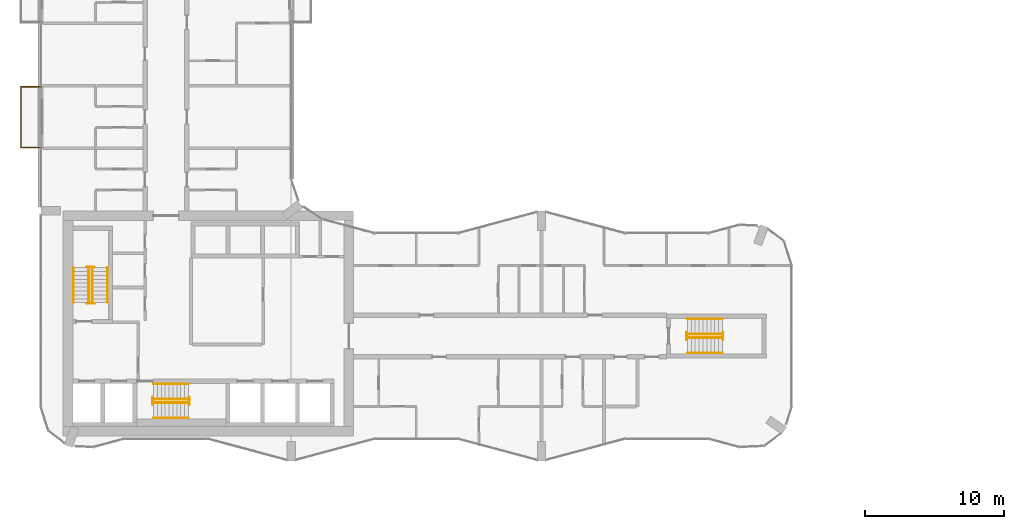
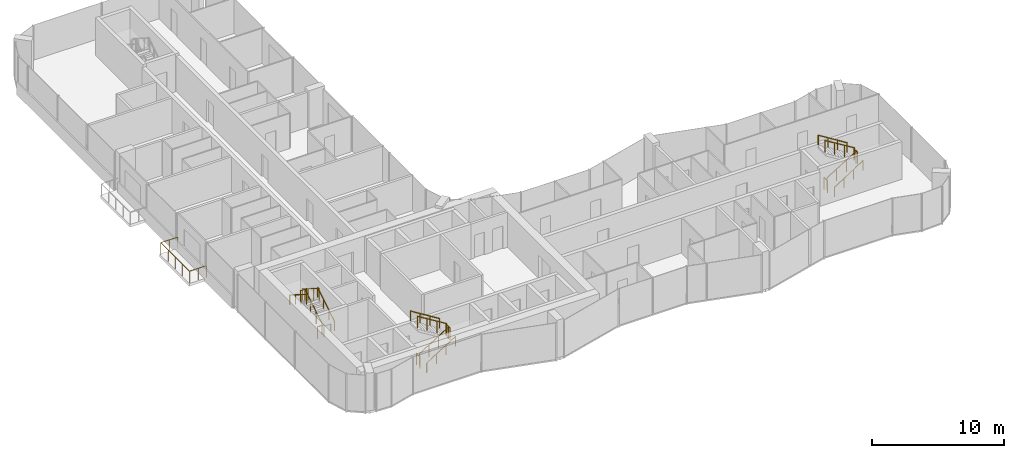
# One storey, part 21 of 23: 19 railings.
"""IFC4 building model written with IfcOpenShell, lengths in metres."""

import ifcopenshell
import ifcopenshell.guid

model = None  # the IFC model being written
_history = None  # IfcOwnerHistory: only IFC2X3 demands one
_inside = {}  # id of a spatial element -> (the spatial element, [elements in it])
_under = {}  # id of a project, library or spatial element -> (it, [spatial elements below it])
_declared = {}  # id of a project -> (the project, [libraries it declares])
_typed = {}  # id of a type object -> (the type object, [elements of that type])
_made_of = {}  # id of a material, layer set ... -> (it, [elements and type objects made of it])


def new_model(schema):
    """Start an empty IFC model of exactly this schema.

    Asked for "IFC4X3", IfcOpenShell would pick the latest addendum, in which some entities
    have other attributes; the version numbers below select the first issue.
    IFC2X3 requires an IfcOwnerHistory on every rooted entity: one is made here for all.
    """
    global model, _history
    if schema == "IFC4X3":
        model = ifcopenshell.file(schema_version=(4, 3, 0, 0))
    else:
        model = ifcopenshell.file(schema=schema)
    _inside.clear()
    _under.clear()
    _declared.clear()
    _typed.clear()
    _made_of.clear()
    _history = None
    if model.schema == "IFC2X3":
        org = make("IfcOrganization", Name="unknown")
        user = make(
            "IfcPersonAndOrganization",
            ThePerson=make("IfcPerson", FamilyName="unknown"),
            TheOrganization=org,
        )
        app = make(
            "IfcApplication",
            ApplicationDeveloper=org,
            Version="unknown",
            ApplicationFullName="unknown",
            ApplicationIdentifier="unknown",
        )
        _history = make(
            "IfcOwnerHistory",
            OwningUser=user,
            OwningApplication=app,
            ChangeAction="ADDED",
            CreationDate=0,
        )
    return model


def make(cls, **values):
    """One entity of the class cls with the attributes given. An attribute that is None is left unset."""
    return model.create_entity(
        cls, **{name: value for name, value in values.items() if value is not None}
    )


def rooted(cls, **values):
    """An entity with a GlobalId (a new one), such as an element, a storey or a relation."""
    return make(cls, GlobalId=ifcopenshell.guid.new(), OwnerHistory=_history, **values)


def si_unit(unit_type, name, prefix=None):
    """IfcSIUnit, for example si_unit("LENGTHUNIT", "METRE", prefix="MILLI")."""
    return make("IfcSIUnit", UnitType=unit_type, Prefix=prefix, Name=name)


def assignment(units):
    """IfcUnitAssignment: the units of a project."""
    return None if units is None else make("IfcUnitAssignment", Units=units)


def point(xyz):
    """IfcCartesianPoint."""
    return None if xyz is None else make("IfcCartesianPoint", Coordinates=xyz)


def direction(xyz):
    """IfcDirection."""
    return None if xyz is None else make("IfcDirection", DirectionRatios=xyz)


def frame(location, z_axis=None, x_axis=None):
    """IfcAxis2Placement3D, a coordinate frame: its origin and axes. An axis left out is left unset."""
    return make(
        "IfcAxis2Placement3D",
        Location=point(location),
        Axis=direction(z_axis),
        RefDirection=direction(x_axis),
    )


def frame_2d(location, x_axis=None):
    """IfcAxis2Placement2D, a coordinate frame in the plane: its origin and x axis."""
    return make(
        "IfcAxis2Placement2D", Location=point(location), RefDirection=direction(x_axis)
    )


def origin():
    """The frame at (0, 0, 0) with its axes left unset."""
    return frame((0.0, 0.0, 0.0))


def origin_2d():
    """The frame at (0, 0) in the plane with its x axis left unset."""
    return frame_2d((0.0, 0.0))


def place(relative_to, where):
    """IfcLocalPlacement: puts the frame where relative to a parent placement (None: the world)."""
    return make(
        "IfcLocalPlacement", PlacementRelTo=relative_to, RelativePlacement=where
    )


def context(
    kind, dimensions, precision=None, world=None, true_north=None, identifier=None
):
    """IfcGeometricRepresentationContext, for example the 3D "Model" context."""
    return make(
        "IfcGeometricRepresentationContext",
        ContextIdentifier=identifier,
        ContextType=kind,
        CoordinateSpaceDimension=dimensions,
        Precision=precision,
        WorldCoordinateSystem=world,
        TrueNorth=true_north,
    )


def subcontext(parent, identifier, kind, view, scale=None):
    """IfcGeometricRepresentationSubContext, for example "Body" below "Model"."""
    return make(
        "IfcGeometricRepresentationSubContext",
        ContextIdentifier=identifier,
        ContextType=kind,
        ParentContext=parent,
        TargetScale=scale,
        TargetView=view,
    )


def project(units=None, contexts=None):
    """IfcProject with its units and contexts."""
    return rooted(
        "IfcProject",
        Name="project",
        RepresentationContexts=contexts,
        UnitsInContext=assignment(units),
    )


def spatial(cls, under=None, at=None, **own):
    """A site, building, storey or space (cls), placed at a placement, below another one or the project."""
    s = rooted(cls, ObjectPlacement=at, **own)
    if under is not None:
        _under.setdefault(under.id(), (under, []))[1].append(s)
    return s


def profile(cls, at=None, kind="AREA", **sizes):
    """A parametric profile (cls). Its sizes go by their IFC names, for example OverallWidth=200.0."""
    return make(cls, ProfileType=kind, Position=at, **sizes)


def circle(**sizes):
    """IfcCircleProfileDef."""
    return profile("IfcCircleProfileDef", **sizes)


def extrude(swept, where, along, depth):
    """IfcExtrudedAreaSolid: the profile swept, set in the frame where, extruded along a direction by depth."""
    return make(
        "IfcExtrudedAreaSolid",
        SweptArea=swept,
        Position=where,
        ExtrudedDirection=direction(along),
        Depth=depth,
    )


def shape(context_of_items, identifier, shape_type, items):
    """IfcShapeRepresentation: the items that make up one representation, for example the "Body"."""
    return make(
        "IfcShapeRepresentation",
        ContextOfItems=context_of_items,
        RepresentationIdentifier=identifier,
        RepresentationType=shape_type,
        Items=items,
    )


def material(Name=None, Category=None):
    """IfcMaterial."""
    return make("IfcMaterial", Name=Name, Category=Category)


def made_of(thing, what):
    """Note that an element or type object is made of a material, layer set ...; save() writes the relation."""
    if what is not None:
        _made_of.setdefault(what.id(), (what, []))[1].append(thing)
    return thing


def type_object(cls, material=None, **own):
    """A type object (cls), such as IfcWallType, which elements share."""
    return made_of(rooted(cls, **own), material)


def element(
    cls,
    number,
    at=None,
    inside=None,
    cuts=None,
    type_object=None,
    material=None,
    context=None,
    identifier="Body",
    shape_type=None,
    held_by="IfcProductDefinitionShape",
    body=None,
    shapes=None,
    **own,
):
    """One element of the class cls, such as IfcWall. Its Tag is "e" and its number.

    at: its placement. inside: the storey or other place that contains it. cuts: it is an
    opening in that element (IfcRelVoidsElement). A single representation is given by context,
    identifier, shape_type and body (its items); several are given by shapes. held_by: the class
    of the entity that holds the representations. save() writes the other relations.
    """
    e = rooted(cls, Tag="e%d" % number, ObjectPlacement=at, **own)
    if body is not None:
        shapes = [shape(context, identifier, shape_type, body)]
    if shapes is not None:
        e.Representation = make(held_by, Representations=shapes)
    if inside is not None:
        _inside.setdefault(inside.id(), (inside, []))[1].append(e)
    if cuts is not None:
        rooted(
            "IfcRelVoidsElement", RelatingBuildingElement=cuts, RelatedOpeningElement=e
        )
    if type_object is not None:
        _typed.setdefault(type_object.id(), (type_object, []))[1].append(e)
    return made_of(e, material)


def aggregate(whole, parts):
    """IfcRelAggregates: a whole, such as a stair, and the parts it consists of."""
    return rooted("IfcRelAggregates", RelatingObject=whole, RelatedObjects=parts)


def save(model, path):
    """Write the relations noted so far, then the file.

    IfcRelAggregates (storeys below a building ...), IfcRelContainedInSpatialStructure (elements
    in a storey), IfcRelDefinesByType, IfcRelAssociatesMaterial and IfcRelDeclares: one each for
    every whole, place, type object, material and project.
    """
    for whole, parts in _under.values():
        aggregate(whole, parts)
    for where, things in _inside.values():
        rooted(
            "IfcRelContainedInSpatialStructure",
            RelatedElements=things,
            RelatingStructure=where,
        )
    for kind, things in _typed.values():
        rooted("IfcRelDefinesByType", RelatedObjects=things, RelatingType=kind)
    for what, things in _made_of.values():
        rooted("IfcRelAssociatesMaterial", RelatedObjects=things, RelatingMaterial=what)
    for by, libraries in _declared.values():
        rooted("IfcRelDeclares", RelatingContext=by, RelatedDefinitions=libraries)
    model.write(path)


model = new_model("IFC4")

# Units and contexts
model_context = context("Model", 3, precision=1e-05, world=origin(), true_north=direction((0.0, 1.0)))
body_context = subcontext(model_context, "Body", "Model", "MODEL_VIEW")
ifc_project = project(units=[si_unit("LENGTHUNIT", "METRE"), si_unit("AREAUNIT", "SQUARE_METRE"), si_unit("VOLUMEUNIT", "CUBIC_METRE"), si_unit("PLANEANGLEUNIT", "RADIAN"), si_unit("MASSUNIT", "GRAM", prefix="KILO")], contexts=[model_context])

# Site, building, storey
site_placement = place(None, origin())
site = spatial("IfcSite", under=ifc_project, at=site_placement, CompositionType="ELEMENT")
building_placement = place(site_placement, origin())
building = spatial("IfcBuilding", under=site, at=building_placement, Name="Plateau Cross Towers", CompositionType="ELEMENT")
storey_placement = place(building_placement, frame((0.0, 0.0, 88.800048828125)))
storey = spatial("IfcBuildingStorey", under=building, at=storey_placement, Name="L22", CompositionType="ELEMENT", Elevation=88.800048828125)

# Railings
ifc_material_1 = material(Name="Stainless steel and toughened glass", Category="steel")
railing_type_1 = type_object("IfcRailingType", Name="Glass balustrade guard 1100", PredefinedType="GUARDRAIL", material=ifc_material_1)
railing_1_placement = place(storey_placement, frame((0.050048828125, 22.570068359375, 0.0)))
element("IfcRailing", 1, at=railing_1_placement, inside=storey, type_object=railing_type_1, Name="Guard guard1", PredefinedType="GUARDRAIL", context=body_context, shape_type="SweptSolid", body=[
    extrude(circle(Radius=0.02392578125, at=origin_2d()), frame((0.0, 0.0, 1.076171875), z_axis=(-1.0, 0.0, 0.0), x_axis=(0.0, -1.0, 0.0)), (0.0, 0.0, 1.0), 1.47998046875),
    extrude(circle(Radius=0.02392578125, at=origin_2d()), frame((-1.47998046875, 0.0, 1.076171875), z_axis=(0.0, 1.0, 0.0), x_axis=(-1.0, 0.0, 0.0)), (0.0, 0.0, 1.0), 4.35986328125),
    extrude(circle(Radius=0.02392578125, at=origin_2d()), frame((-1.47998046875, 4.35986328125, 1.076171875), z_axis=(1.0, 0.0, 0.0), x_axis=(0.0, 1.0, 0.0)), (0.0, 0.0, 1.0), 1.47998046875),
    extrude(circle(Radius=0.02099609375, at=origin_2d()), origin(), (0.0, 0.0, 1.0), 1.052001953125),
    extrude(circle(Radius=0.02099609375, at=origin_2d()), frame((-0.739990234375, 0.0, 0.0)), (0.0, 0.0, 1.0), 1.052001953125),
    extrude(circle(Radius=0.02099609375, at=origin_2d()), frame((-1.47998046875, 0.0, 0.0)), (0.0, 0.0, 1.0), 1.052001953125),
    extrude(circle(Radius=0.02099609375, at=origin_2d()), frame((-1.47998046875, 1.08984375, 0.0)), (0.0, 0.0, 1.0), 1.052001953125),
    extrude(circle(Radius=0.02099609375, at=origin_2d()), frame((-1.47998046875, 2.179931640625, 0.0)), (0.0, 0.0, 1.0), 1.052001953125),
    extrude(circle(Radius=0.02099609375, at=origin_2d()), frame((-1.47998046875, 3.27001953125, 0.0)), (0.0, 0.0, 1.0), 1.052001953125),
    extrude(circle(Radius=0.02099609375, at=origin_2d()), frame((-1.47998046875, 4.35986328125, 0.0)), (0.0, 0.0, 1.0), 1.052001953125),
    extrude(circle(Radius=0.02099609375, at=origin_2d()), frame((-0.739990234375, 4.35986328125, 0.0)), (0.0, 0.0, 1.0), 1.052001953125),
    extrude(circle(Radius=0.02099609375, at=origin_2d()), frame((0.0, 4.35986328125, 0.0)), (0.0, 0.0, 1.0), 1.052001953125),
])
railing_type_2 = type_object("IfcRailingType", Name="RL-GUARD-1100", PredefinedType="GUARDRAIL", material=ifc_material_1)
railing_2_placement = place(storey_placement, frame((3.699951171875, 11.39990234375, 0.175048828125)))
element("IfcRailing", 2, at=railing_2_placement, inside=storey, type_object=railing_type_2, Name="L22 ST-1 stair guard 1", PredefinedType="GUARDRAIL", context=body_context, shape_type="SweptSolid", body=[
    extrude(circle(Radius=0.02392578125, at=origin_2d()), frame((0.0, 0.0, 1.076171875), z_axis=(0.0, 0.848007534815, 0.529984170421), x_axis=(-1.0, 0.0, 0.0)), (0.0, 0.0, 1.0), 2.9716796875),
    extrude(circle(Radius=0.02099609375, at=origin_2d()), origin(), (0.0, 0.0, 1.0), 1.052001953125),
    extrude(circle(Radius=0.02099609375, at=origin_2d()), frame((0.0, 0.840087890625, 0.52490234375)), (0.0, 0.0, 1.0), 1.052001953125),
    extrude(circle(Radius=0.02099609375, at=origin_2d()), frame((0.0, 1.679931640625, 1.050048828125)), (0.0, 0.0, 1.0), 1.052001953125),
    extrude(circle(Radius=0.02099609375, at=origin_2d()), frame((0.0, 2.52001953125, 1.574951171875)), (0.0, 0.0, 1.0), 1.052001953125),
])
railing_3_placement = place(storey_placement, frame((3.85009765625, 13.969970703125, 1.75)))
element("IfcRailing", 3, at=railing_3_placement, inside=storey, type_object=railing_type_2, Name="L22 ST-1 stair guard 2", PredefinedType="GUARDRAIL", context=body_context, shape_type="SweptSolid", body=[
    extrude(circle(Radius=0.02392578125, at=origin_2d()), frame((0.0, 0.0, 1.076171875), z_axis=(-1.0, 0.0, 0.0), x_axis=(0.0, -1.0, 0.0)), (0.0, 0.0, 1.0), 0.550048828125),
    extrude(circle(Radius=0.02099609375, at=origin_2d()), origin(), (0.0, 0.0, 1.0), 1.052001953125),
    extrude(circle(Radius=0.02099609375, at=origin_2d()), frame((-0.550048828125, 0.0, 0.0)), (0.0, 0.0, 1.0), 1.052001953125),
])
railing_4_placement = place(storey_placement, frame((3.449951171875, 13.919921875, 1.925048828125)))
element("IfcRailing", 4, at=railing_4_placement, inside=storey, type_object=railing_type_2, Name="L22 ST-1 stair guard 3", PredefinedType="GUARDRAIL", context=body_context, shape_type="SweptSolid", body=[
    extrude(circle(Radius=0.02392578125, at=origin_2d()), frame((0.0, 0.0, 1.076171875), z_axis=(0.0, -0.852616386126, 0.522537365276), x_axis=(1.0, 0.0, 0.0)), (0.0, 0.0, 1.0), 3.01416015625),
    extrude(circle(Radius=0.02099609375, at=origin_2d()), origin(), (0.0, 0.0, 1.0), 1.052001953125),
    extrude(circle(Radius=0.02099609375, at=origin_2d()), frame((0.0, -0.856689453125, 0.52490234375)), (0.0, 0.0, 1.0), 1.052001953125),
    extrude(circle(Radius=0.02099609375, at=origin_2d()), frame((0.0, -1.713134765625, 1.050048828125)), (0.0, 0.0, 1.0), 1.052001953125),
    extrude(circle(Radius=0.02099609375, at=origin_2d()), frame((0.0, -2.56982421875, 1.574951171875)), (0.0, 0.0, 1.0), 1.052001953125),
])
railing_5_placement = place(storey_placement, frame((3.85009765625, 11.35009765625, 0.0)))
element("IfcRailing", 5, at=railing_5_placement, inside=storey, type_object=railing_type_2, Name="L22 ST-1 stair guard 4", PredefinedType="GUARDRAIL", context=body_context, shape_type="SweptSolid", body=[
    extrude(circle(Radius=0.02392578125, at=origin_2d()), frame((0.0, 0.0, 1.076171875), z_axis=(-1.0, 0.0, 0.0), x_axis=(0.0, -1.0, 0.0)), (0.0, 0.0, 1.0), 0.550048828125),
    extrude(circle(Radius=0.02099609375, at=origin_2d()), origin(), (0.0, 0.0, 1.0), 1.052001953125),
    extrude(circle(Radius=0.02099609375, at=origin_2d()), frame((-0.550048828125, 0.0, 0.0)), (0.0, 0.0, 1.0), 1.052001953125),
])
railing_6_placement = place(storey_placement, frame((8.10009765625, 4.199951171875, 0.175048828125)))
element("IfcRailing", 6, at=railing_6_placement, inside=storey, type_object=railing_type_2, Name="L22 ST-2 stair guard 1", PredefinedType="GUARDRAIL", context=body_context, shape_type="SweptSolid", body=[
    extrude(circle(Radius=0.02392578125, at=origin_2d()), frame((0.0, 0.0, 1.076171875), z_axis=(0.848007534815, 0.0, 0.529984170421), x_axis=(0.0, 1.0, 0.0)), (0.0, 0.0, 1.0), 2.9716796875),
    extrude(circle(Radius=0.02099609375, at=origin_2d()), origin(), (0.0, 0.0, 1.0), 1.052001953125),
    extrude(circle(Radius=0.02099609375, at=origin_2d()), frame((0.840087890625, 0.0, 0.52490234375)), (0.0, 0.0, 1.0), 1.052001953125),
    extrude(circle(Radius=0.02099609375, at=origin_2d()), frame((1.679931640625, 0.0, 1.050048828125)), (0.0, 0.0, 1.0), 1.052001953125),
    extrude(circle(Radius=0.02099609375, at=origin_2d()), frame((2.52001953125, 0.0, 1.574951171875)), (0.0, 0.0, 1.0), 1.052001953125),
])
railing_7_placement = place(storey_placement, frame((10.669921875, 4.050048828125, 1.75)))
element("IfcRailing", 7, at=railing_7_placement, inside=storey, type_object=railing_type_2, Name="L22 ST-2 stair guard 2", PredefinedType="GUARDRAIL", context=body_context, shape_type="SweptSolid", body=[
    extrude(circle(Radius=0.02392578125, at=origin_2d()), frame((0.0, 0.0, 1.076171875), z_axis=(0.0, 1.0, 0.0), x_axis=(-1.0, 0.0, 0.0)), (0.0, 0.0, 1.0), 0.550048828125),
    extrude(circle(Radius=0.02099609375, at=origin_2d()), origin(), (0.0, 0.0, 1.0), 1.052001953125),
    extrude(circle(Radius=0.02099609375, at=origin_2d()), frame((0.0, 0.550048828125, 0.0)), (0.0, 0.0, 1.0), 1.052001953125),
])
railing_8_placement = place(storey_placement, frame((10.6201171875, 4.449951171875, 1.925048828125)))
element("IfcRailing", 8, at=railing_8_placement, inside=storey, type_object=railing_type_2, Name="L22 ST-2 stair guard 3", PredefinedType="GUARDRAIL", context=body_context, shape_type="SweptSolid", body=[
    extrude(circle(Radius=0.02392578125, at=origin_2d()), frame((0.0, 0.0, 1.076171875), z_axis=(-0.852638500773, 0.0, 0.522501279423), x_axis=(0.0, -1.0, 0.0)), (0.0, 0.0, 1.0), 3.01416015625),
    extrude(circle(Radius=0.02099609375, at=origin_2d()), origin(), (0.0, 0.0, 1.0), 1.052001953125),
    extrude(circle(Radius=0.02099609375, at=origin_2d()), frame((-0.856689453125, 0.0, 0.52490234375)), (0.0, 0.0, 1.0), 1.052001953125),
    extrude(circle(Radius=0.02099609375, at=origin_2d()), frame((-1.71337890625, 0.0, 1.050048828125)), (0.0, 0.0, 1.0), 1.052001953125),
    extrude(circle(Radius=0.02099609375, at=origin_2d()), frame((-2.570068359375, 0.0, 1.574951171875)), (0.0, 0.0, 1.0), 1.052001953125),
])
railing_9_placement = place(storey_placement, frame((8.050048828125, 4.050048828125, 0.0)))
element("IfcRailing", 9, at=railing_9_placement, inside=storey, type_object=railing_type_2, Name="L22 ST-2 stair guard 4", PredefinedType="GUARDRAIL", context=body_context, shape_type="SweptSolid", body=[
    extrude(circle(Radius=0.02392578125, at=origin_2d()), frame((0.0, 0.0, 1.076171875), z_axis=(0.0, 1.0, 0.0), x_axis=(-1.0, 0.0, 0.0)), (0.0, 0.0, 1.0), 0.550048828125),
    extrude(circle(Radius=0.02099609375, at=origin_2d()), origin(), (0.0, 0.0, 1.0), 1.052001953125),
    extrude(circle(Radius=0.02099609375, at=origin_2d()), frame((0.0, 0.550048828125, 0.0)), (0.0, 0.0, 1.0), 1.052001953125),
])
railing_10_placement = place(storey_placement, frame((46.5, 8.875, 0.175048828125)))
element("IfcRailing", 10, at=railing_10_placement, inside=storey, type_object=railing_type_2, Name="L22 ES-E stair guard 1", PredefinedType="GUARDRAIL", context=body_context, shape_type="SweptSolid", body=[
    extrude(circle(Radius=0.02392578125, at=origin_2d()), frame((0.0, 0.0, 1.076171875), z_axis=(0.848007534815, 0.0, 0.529984170421), x_axis=(0.0, 1.0, 0.0)), (0.0, 0.0, 1.0), 2.9716796875),
    extrude(circle(Radius=0.02099609375, at=origin_2d()), origin(), (0.0, 0.0, 1.0), 1.052001953125),
    extrude(circle(Radius=0.02099609375, at=origin_2d()), frame((0.840087890625, 0.0, 0.52490234375)), (0.0, 0.0, 1.0), 1.052001953125),
    extrude(circle(Radius=0.02099609375, at=origin_2d()), frame((1.679931640625, 0.0, 1.050048828125)), (0.0, 0.0, 1.0), 1.052001953125),
    extrude(circle(Radius=0.02099609375, at=origin_2d()), frame((2.52001953125, 0.0, 1.574951171875)), (0.0, 0.0, 1.0), 1.052001953125),
])
railing_11_placement = place(storey_placement, frame((49.070068359375, 8.72509765625, 1.75)))
element("IfcRailing", 11, at=railing_11_placement, inside=storey, type_object=railing_type_2, Name="L22 ES-E stair guard 2", PredefinedType="GUARDRAIL", context=body_context, shape_type="SweptSolid", body=[
    extrude(circle(Radius=0.02392578125, at=origin_2d()), frame((0.0, 0.0, 1.076171875), z_axis=(0.0, 1.0, 0.0), x_axis=(-1.0, 0.0, 0.0)), (0.0, 0.0, 1.0), 0.5498046875),
    extrude(circle(Radius=0.02099609375, at=origin_2d()), origin(), (0.0, 0.0, 1.0), 1.052001953125),
    extrude(circle(Radius=0.02099609375, at=origin_2d()), frame((0.0, 0.5498046875, 0.0)), (0.0, 0.0, 1.0), 1.052001953125),
])
railing_12_placement = place(storey_placement, frame((49.02001953125, 9.125, 1.925048828125)))
element("IfcRailing", 12, at=railing_12_placement, inside=storey, type_object=railing_type_2, Name="L22 ES-E stair guard 3", PredefinedType="GUARDRAIL", context=body_context, shape_type="SweptSolid", body=[
    extrude(circle(Radius=0.02392578125, at=origin_2d()), frame((0.0, 0.0, 1.076171875), z_axis=(-0.852638500773, 0.0, 0.522501279423), x_axis=(0.0, -1.0, 0.0)), (0.0, 0.0, 1.0), 3.01416015625),
    extrude(circle(Radius=0.02099609375, at=origin_2d()), origin(), (0.0, 0.0, 1.0), 1.052001953125),
    extrude(circle(Radius=0.02099609375, at=origin_2d()), frame((-0.856689453125, 0.0, 0.52490234375)), (0.0, 0.0, 1.0), 1.052001953125),
    extrude(circle(Radius=0.02099609375, at=origin_2d()), frame((-1.71337890625, 0.0, 1.050048828125)), (0.0, 0.0, 1.0), 1.052001953125),
    extrude(circle(Radius=0.02099609375, at=origin_2d()), frame((-2.570068359375, 0.0, 1.574951171875)), (0.0, 0.0, 1.0), 1.052001953125),
])
railing_13_placement = place(storey_placement, frame((46.449951171875, 8.72509765625, 0.0)))
element("IfcRailing", 13, at=railing_13_placement, inside=storey, type_object=railing_type_2, Name="L22 ES-E stair guard 4", PredefinedType="GUARDRAIL", context=body_context, shape_type="SweptSolid", body=[
    extrude(circle(Radius=0.02392578125, at=origin_2d()), frame((0.0, 0.0, 1.076171875), z_axis=(0.0, 1.0, 0.0), x_axis=(-1.0, 0.0, 0.0)), (0.0, 0.0, 1.0), 0.5498046875),
    extrude(circle(Radius=0.02099609375, at=origin_2d()), origin(), (0.0, 0.0, 1.0), 1.052001953125),
    extrude(circle(Radius=0.02099609375, at=origin_2d()), frame((0.0, 0.5498046875, 0.0)), (0.0, 0.0, 1.0), 1.052001953125),
])
ifc_material_2 = material(Name="Black anodised aluminium", Category="aluminium")
railing_type_3 = type_object("IfcRailingType", Name="RL-HANDRAIL-900", PredefinedType="HANDRAIL", material=ifc_material_2)
railing_14_placement = place(storey_placement, frame((4.800048828125, 11.39990234375, 0.175048828125)))
element("IfcRailing", 14, at=railing_14_placement, inside=storey, type_object=railing_type_3, Name="L22 ST-1 stair handrail 1", PredefinedType="HANDRAIL", context=body_context, shape_type="SweptSolid", body=[
    extrude(circle(Radius=0.02392578125, at=origin_2d()), frame((0.0, 0.0, 0.8759765625), z_axis=(0.0, 0.848007534815, 0.529984170421), x_axis=(-1.0, 0.0, 0.0)), (0.0, 0.0, 1.0), 2.9716796875),
    extrude(circle(Radius=0.02099609375, at=origin_2d()), origin(), (0.0, 0.0, 1.0), 0.851806640625),
    extrude(circle(Radius=0.02099609375, at=origin_2d()), frame((0.0, 0.840087890625, 0.52490234375)), (0.0, 0.0, 1.0), 0.851806640625),
    extrude(circle(Radius=0.02099609375, at=origin_2d()), frame((0.0, 1.679931640625, 1.050048828125)), (0.0, 0.0, 1.0), 0.851806640625),
    extrude(circle(Radius=0.02099609375, at=origin_2d()), frame((0.0, 2.52001953125, 1.574951171875)), (0.0, 0.0, 1.0), 0.851806640625),
])
railing_15_placement = place(storey_placement, frame((2.35009765625, 13.919921875, 1.925048828125)))
element("IfcRailing", 15, at=railing_15_placement, inside=storey, type_object=railing_type_3, Name="L22 ST-1 stair handrail 2", PredefinedType="HANDRAIL", context=body_context, shape_type="SweptSolid", body=[
    extrude(circle(Radius=0.02392578125, at=origin_2d()), frame((0.0, 0.0, 0.8759765625), z_axis=(0.0, -0.848007534815, 0.529984170421), x_axis=(1.0, 0.0, 0.0)), (0.0, 0.0, 1.0), 2.9716796875),
    extrude(circle(Radius=0.02099609375, at=origin_2d()), origin(), (0.0, 0.0, 1.0), 0.851806640625),
    extrude(circle(Radius=0.02099609375, at=origin_2d()), frame((0.0, -0.840087890625, 0.52490234375)), (0.0, 0.0, 1.0), 0.851806640625),
    extrude(circle(Radius=0.02099609375, at=origin_2d()), frame((0.0, -1.679931640625, 1.050048828125)), (0.0, 0.0, 1.0), 0.851806640625),
    extrude(circle(Radius=0.02099609375, at=origin_2d()), frame((0.0, -2.52001953125, 1.574951171875)), (0.0, 0.0, 1.0), 0.851806640625),
])
railing_16_placement = place(storey_placement, frame((8.10009765625, 3.10009765625, 0.175048828125)))
element("IfcRailing", 16, at=railing_16_placement, inside=storey, type_object=railing_type_3, Name="L22 ST-2 stair handrail 1", PredefinedType="HANDRAIL", context=body_context, shape_type="SweptSolid", body=[
    extrude(circle(Radius=0.02392578125, at=origin_2d()), frame((0.0, 0.0, 0.8759765625), z_axis=(0.848007534815, 0.0, 0.529984170421), x_axis=(0.0, 1.0, 0.0)), (0.0, 0.0, 1.0), 2.9716796875),
    extrude(circle(Radius=0.02099609375, at=origin_2d()), origin(), (0.0, 0.0, 1.0), 0.851806640625),
    extrude(circle(Radius=0.02099609375, at=origin_2d()), frame((0.840087890625, 0.0, 0.52490234375)), (0.0, 0.0, 1.0), 0.851806640625),
    extrude(circle(Radius=0.02099609375, at=origin_2d()), frame((1.679931640625, 0.0, 1.050048828125)), (0.0, 0.0, 1.0), 0.851806640625),
    extrude(circle(Radius=0.02099609375, at=origin_2d()), frame((2.52001953125, 0.0, 1.574951171875)), (0.0, 0.0, 1.0), 0.851806640625),
])
railing_17_placement = place(storey_placement, frame((10.6201171875, 5.550048828125, 1.925048828125)))
element("IfcRailing", 17, at=railing_17_placement, inside=storey, type_object=railing_type_3, Name="L22 ST-2 stair handrail 2", PredefinedType="HANDRAIL", context=body_context, shape_type="SweptSolid", body=[
    extrude(circle(Radius=0.02392578125, at=origin_2d()), frame((0.0, 0.0, 0.8759765625), z_axis=(-0.848007534815, 0.0, 0.529984170421), x_axis=(0.0, -1.0, 0.0)), (0.0, 0.0, 1.0), 2.9716796875),
    extrude(circle(Radius=0.02099609375, at=origin_2d()), origin(), (0.0, 0.0, 1.0), 0.851806640625),
    extrude(circle(Radius=0.02099609375, at=origin_2d()), frame((-0.840087890625, 0.0, 0.52490234375)), (0.0, 0.0, 1.0), 0.851806640625),
    extrude(circle(Radius=0.02099609375, at=origin_2d()), frame((-1.679931640625, 0.0, 1.050048828125)), (0.0, 0.0, 1.0), 0.851806640625),
    extrude(circle(Radius=0.02099609375, at=origin_2d()), frame((-2.52001953125, 0.0, 1.574951171875)), (0.0, 0.0, 1.0), 0.851806640625),
])
railing_18_placement = place(storey_placement, frame((46.5, 7.77490234375, 0.175048828125)))
element("IfcRailing", 18, at=railing_18_placement, inside=storey, type_object=railing_type_3, Name="L22 ES-E stair handrail 1", PredefinedType="HANDRAIL", context=body_context, shape_type="SweptSolid", body=[
    extrude(circle(Radius=0.02392578125, at=origin_2d()), frame((0.0, 0.0, 0.8759765625), z_axis=(0.848007534815, 0.0, 0.529984170421), x_axis=(0.0, 1.0, 0.0)), (0.0, 0.0, 1.0), 2.9716796875),
    extrude(circle(Radius=0.02099609375, at=origin_2d()), origin(), (0.0, 0.0, 1.0), 0.851806640625),
    extrude(circle(Radius=0.02099609375, at=origin_2d()), frame((0.840087890625, 0.0, 0.52490234375)), (0.0, 0.0, 1.0), 0.851806640625),
    extrude(circle(Radius=0.02099609375, at=origin_2d()), frame((1.679931640625, 0.0, 1.050048828125)), (0.0, 0.0, 1.0), 0.851806640625),
    extrude(circle(Radius=0.02099609375, at=origin_2d()), frame((2.52001953125, 0.0, 1.574951171875)), (0.0, 0.0, 1.0), 0.851806640625),
])
railing_19_placement = place(storey_placement, frame((49.02001953125, 10.22509765625, 1.925048828125)))
element("IfcRailing", 19, at=railing_19_placement, inside=storey, type_object=railing_type_3, Name="L22 ES-E stair handrail 2", PredefinedType="HANDRAIL", context=body_context, shape_type="SweptSolid", body=[
    extrude(circle(Radius=0.02392578125, at=origin_2d()), frame((0.0, 0.0, 0.8759765625), z_axis=(-0.848007534815, 0.0, 0.529984170421), x_axis=(0.0, -1.0, 0.0)), (0.0, 0.0, 1.0), 2.9716796875),
    extrude(circle(Radius=0.02099609375, at=origin_2d()), origin(), (0.0, 0.0, 1.0), 0.851806640625),
    extrude(circle(Radius=0.02099609375, at=origin_2d()), frame((-0.840087890625, 0.0, 0.52490234375)), (0.0, 0.0, 1.0), 0.851806640625),
    extrude(circle(Radius=0.02099609375, at=origin_2d()), frame((-1.679931640625, 0.0, 1.050048828125)), (0.0, 0.0, 1.0), 0.851806640625),
    extrude(circle(Radius=0.02099609375, at=origin_2d()), frame((-2.52001953125, 0.0, 1.574951171875)), (0.0, 0.0, 1.0), 0.851806640625),
])

save(model, "model.ifc")
